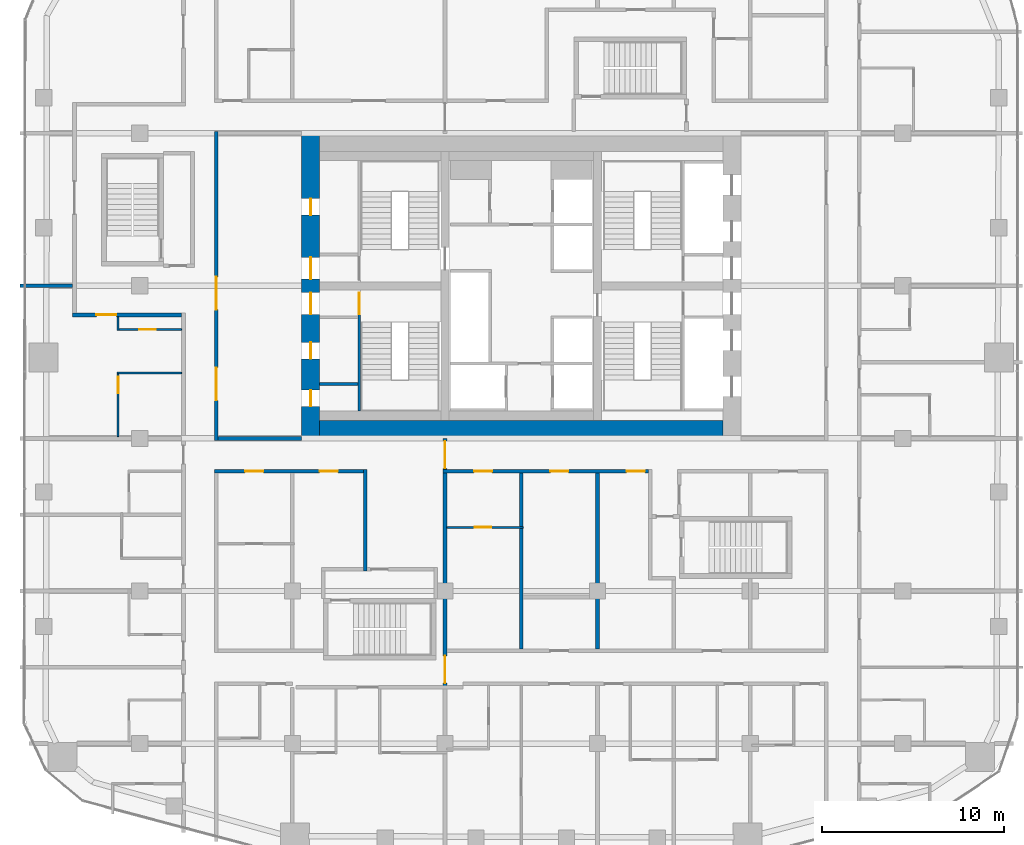
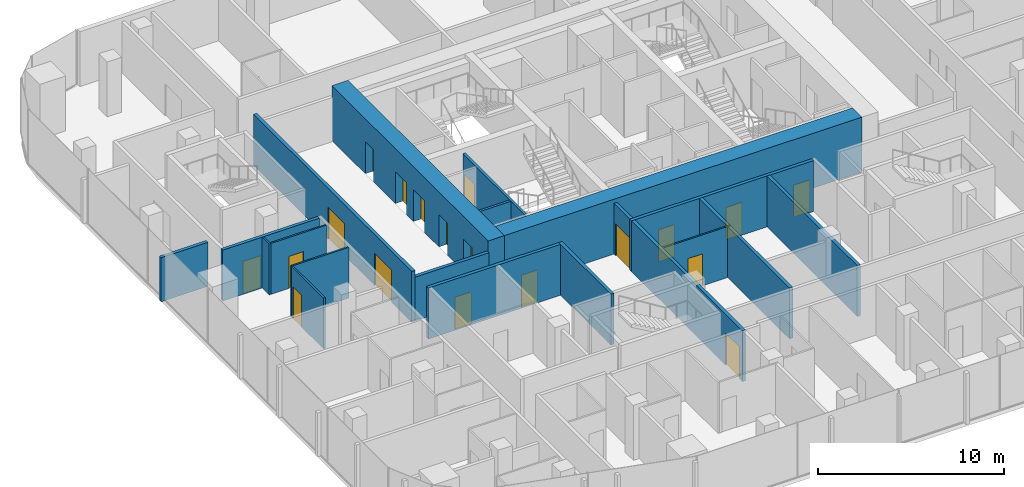
# One storey, part 15 of 23: 19 doors, 19 walls, 19 openings.
"""IFC4 building model written with IfcOpenShell, lengths in metres."""

from ifc_helpers import new_model, si_unit, direction, frame, frame_2d, origin, place, context, subcontext, project, spatial, rectangle, extrude, material, layer, layer_set, type_object, element, fill, save


model = new_model("IFC4")

# Units and contexts
model_context = context("Model", 3, precision=1e-05, world=origin(), true_north=direction((0.0, 1.0)))
body_context = subcontext(model_context, "Body", "Model", "MODEL_VIEW")
ifc_project = project(units=[si_unit("LENGTHUNIT", "METRE"), si_unit("AREAUNIT", "SQUARE_METRE"), si_unit("VOLUMEUNIT", "CUBIC_METRE"), si_unit("PLANEANGLEUNIT", "RADIAN"), si_unit("MASSUNIT", "GRAM", prefix="KILO")], contexts=[model_context])

# Site, building, storey
site_placement = place(None, origin())
site = spatial("IfcSite", under=ifc_project, at=site_placement, CompositionType="ELEMENT")
building_placement = place(site_placement, origin())
building = spatial("IfcBuilding", under=site, at=building_placement, Name="Marenta Gate Hotel Tower", CompositionType="ELEMENT")
storey_placement = place(building_placement, frame((0.0, 0.0, 155.300048828125)))
storey = spatial("IfcBuildingStorey", under=building, at=storey_placement, Name="L36", CompositionType="ELEMENT", Elevation=155.300048828125)

# Wall, openings, doors
ifc_material_1 = material(Name="Concrete blockwork", Category="masonry")
ifc_layer_1 = layer(ifc_material_1, 0.199951171875)
ifc_layer_set_1 = layer_set([ifc_layer_1], Name="Concrete blockwork")
wall_type_1 = type_object("IfcWallType", Name="Compartment wall 200 REI 180", PredefinedType="PARTITIONING", material=ifc_layer_set_1)
wall_1_placement = place(storey_placement, frame((-4.199951171875, -13.800048828125, 0.0), z_axis=(0.0, 0.0, 1.0), x_axis=(0.0, 1.0, 0.0)))
wall_1 = element("IfcWall", 1, at=wall_1_placement, inside=storey, type_object=wall_type_1, Name="L36-PTN-W075", PredefinedType="PARTITIONING", context=body_context, shape_type="SweptSolid", body=[
    extrude(rectangle(XDim=13.800048828125, YDim=0.199951171875, at=frame_2d((6.89990234375, 0.0))), origin(), (0.0, 0.0, 1.0), 3.33984375),
])
opening_1_placement = place(wall_1_placement, frame((12.14990234375, 0.0, 0.0)))
opening_1 = element("IfcOpeningElement", 2, at=opening_1_placement, cuts=wall_1, Name="Opening G13-FD2", PredefinedType="OPENING", context=body_context, shape_type="SweptSolid", body=[
    extrude(rectangle(XDim=1.5, YDim=2.10009765625, at=frame_2d((0.75, 1.050048828125))), frame((0.0, 0.10009765625, 0.0), z_axis=(0.0, -1.0, 0.0), x_axis=(1.0, 0.0, 0.0)), (0.0, 0.0, 1.0), 0.199951171875),
])
opening_2_placement = place(wall_1_placement, frame((0.324951171875, 0.0, 0.0)))
opening_2 = element("IfcOpeningElement", 3, at=opening_2_placement, cuts=wall_1, Name="Opening G13-FD3", PredefinedType="OPENING", context=body_context, shape_type="SweptSolid", body=[
    extrude(rectangle(XDim=1.5, YDim=2.10009765625, at=frame_2d((0.75, 1.050048828125))), frame((0.0, 0.10009765625, 0.0), z_axis=(0.0, -1.0, 0.0), x_axis=(1.0, 0.0, 0.0)), (0.0, 0.0, 1.0), 0.199951171875),
])
ifc_material_2 = material(Name="Hollow steel door set", Category="steel")
door_type_1 = type_object("IfcDoorType", Name="Compartment fire door 1500x2100 EI 60", OperationType="DOUBLE_DOOR_DOUBLE_SWING", PredefinedType="DOOR", material=ifc_material_2)
door_1_placement = place(opening_1_placement, origin())
door_1 = element("IfcDoor", 4, at=door_1_placement, inside=storey, type_object=door_type_1, Name="L36-PD-FD02", OperationType="DOUBLE_DOOR_DOUBLE_SWING", OverallHeight=2.10009765625, OverallWidth=1.5, PredefinedType="DOOR", context=body_context, shape_type="SweptSolid", body=[
    extrude(rectangle(XDim=1.5, YDim=2.10009765625, at=frame_2d((0.75, 1.050048828125))), frame((0.0, 0.02490234375, 0.0), z_axis=(0.0, -1.0, 0.0), x_axis=(1.0, 0.0, 0.0)), (0.0, 0.0, 1.0), 0.050048828125),
])
fill(opening_1, door_1)
door_2_placement = place(opening_2_placement, origin())
door_2 = element("IfcDoor", 5, at=door_2_placement, inside=storey, type_object=door_type_1, Name="L36-PD-FD03", OperationType="DOUBLE_DOOR_DOUBLE_SWING", OverallHeight=2.10009765625, OverallWidth=1.5, PredefinedType="DOOR", context=body_context, shape_type="SweptSolid", body=[
    extrude(rectangle(XDim=1.5, YDim=2.10009765625, at=frame_2d((0.75, 1.050048828125))), frame((0.0, 0.02490234375, 0.0), z_axis=(0.0, -1.0, 0.0), x_axis=(1.0, 0.0, 0.0)), (0.0, 0.0, 1.0), 0.050048828125),
])
fill(opening_2, door_2)

ifc_material_3 = material(Name="Concrete blockwork", Category="masonry")
ifc_layer_2 = layer(ifc_material_3, 0.199951171875)
ifc_layer_set_2 = layer_set([ifc_layer_2], Name="Concrete blockwork")
wall_type_2 = type_object("IfcWallType", Name="Core boundary wall 200 REI 180", PredefinedType="PARTITIONING", material=ifc_layer_set_2)
wall_2_placement = place(storey_placement, frame((-16.800048828125, -0.10009765625, 0.0), z_axis=(0.0, 0.0, 1.0), x_axis=(0.0, 1.0, 0.0)))
wall_2 = element("IfcWall", 6, at=wall_2_placement, inside=storey, type_object=wall_type_2, Name="L36-CP-BW-W", PredefinedType="PARTITIONING", context=body_context, shape_type="SweptSolid", body=[
    extrude(rectangle(XDim=17.0, YDim=0.199951171875, at=frame_2d((8.5, 0.0))), origin(), (0.0, 0.0, 1.0), 3.33984375),
])
opening_3_placement = place(wall_2_placement, frame((2.199951171875, 0.0, 0.0)))
opening_3 = element("IfcOpeningElement", 7, at=opening_3_placement, cuts=wall_2, Name="Opening ED-Wa-B", PredefinedType="OPENING", context=body_context, shape_type="SweptSolid", body=[
    extrude(rectangle(XDim=1.800048828125, YDim=2.10009765625, at=frame_2d((0.89990234375, 1.050048828125))), frame((0.0, 0.10009765625, 0.0), z_axis=(0.0, -1.0, 0.0), x_axis=(1.0, 0.0, 0.0)), (0.0, 0.0, 1.0), 0.199951171875),
])
opening_4_placement = place(wall_2_placement, frame((7.199951171875, 0.0, 0.0)))
opening_4 = element("IfcOpeningElement", 8, at=opening_4_placement, cuts=wall_2, Name="Opening ED-Wb-B", PredefinedType="OPENING", context=body_context, shape_type="SweptSolid", body=[
    extrude(rectangle(XDim=1.800048828125, YDim=2.10009765625, at=frame_2d((0.89990234375, 1.050048828125))), frame((0.0, 0.10009765625, 0.0), z_axis=(0.0, -1.0, 0.0), x_axis=(1.0, 0.0, 0.0)), (0.0, 0.0, 1.0), 0.199951171875),
])
ifc_material_4 = material(Name="Steel", Category="steel")
door_type_2 = type_object("IfcDoorType", Name="Core lobby entrance door 1800x2100 EI 60", OperationType="DOUBLE_DOOR_SINGLE_SWING", PredefinedType="DOOR", material=ifc_material_4)
door_3_placement = place(opening_3_placement, origin())
door_3 = element("IfcDoor", 9, at=door_3_placement, inside=storey, type_object=door_type_2, Name="ED-Wa-B", OperationType="DOUBLE_DOOR_SINGLE_SWING", OverallHeight=2.10009765625, OverallWidth=1.800048828125, PredefinedType="DOOR", context=body_context, shape_type="SweptSolid", body=[
    extrude(rectangle(XDim=1.800048828125, YDim=2.10009765625, at=frame_2d((0.89990234375, 1.050048828125))), frame((0.0, 0.02490234375, 0.0), z_axis=(0.0, -1.0, 0.0), x_axis=(1.0, 0.0, 0.0)), (0.0, 0.0, 1.0), 0.050048828125),
])
fill(opening_3, door_3)
door_4_placement = place(opening_4_placement, origin())
door_4 = element("IfcDoor", 10, at=door_4_placement, inside=storey, type_object=door_type_2, Name="ED-Wb-B", OperationType="DOUBLE_DOOR_SINGLE_SWING", OverallHeight=2.10009765625, OverallWidth=1.800048828125, PredefinedType="DOOR", context=body_context, shape_type="SweptSolid", body=[
    extrude(rectangle(XDim=1.800048828125, YDim=2.10009765625, at=frame_2d((0.89990234375, 1.050048828125))), frame((0.0, 0.02490234375, 0.0), z_axis=(0.0, -1.0, 0.0), x_axis=(1.0, 0.0, 0.0)), (0.0, 0.0, 1.0), 0.050048828125),
])
fill(opening_4, door_4)

# Walls
wall_3_placement = place(storey_placement, frame((-16.699951171875, 0.0, 0.0), z_axis=(0.0, 0.0, 1.0), x_axis=(1.0, 0.0, 0.0)))
element("IfcWall", 11, at=wall_3_placement, inside=storey, type_object=wall_type_2, Name="L36-CP-EW-WS", PredefinedType="PARTITIONING", context=body_context, shape_type="SweptSolid", body=[
    extrude(rectangle(XDim=4.599853515625, YDim=0.199951171875, at=frame_2d((2.2998046875, 0.0))), origin(), (0.0, 0.0, 1.0), 2.889892578125),
])
ifc_material_5 = material(Name="Concrete blockwork", Category="masonry")
ifc_layer_3 = layer(ifc_material_5, 0.14990234375)
ifc_layer_set_3 = layer_set([ifc_layer_3], Name="Concrete blockwork")
wall_type_3 = type_object("IfcWallType", Name="Core room partition 150 REI 180", PredefinedType="PARTITIONING", material=ifc_layer_set_3)
wall_4_placement = place(storey_placement, frame((-11.10009765625, 3.0, 0.0), z_axis=(0.0, 0.0, 1.0), x_axis=(1.0, 0.0, 0.0)))
element("IfcWall", 12, at=wall_4_placement, inside=storey, type_object=wall_type_3, Name="L36-CP-RW-WS-1", PredefinedType="PARTITIONING", context=body_context, shape_type="SweptSolid", body=[
    extrude(rectangle(XDim=2.10009765625, YDim=0.14990234375, at=frame_2d((1.050048828125, 0.0))), origin(), (0.0, 0.0, 1.0), 3.33984375),
])

# Wall, opening, door
ifc_material_6 = material(Name="Concrete C40", Category="concrete")
ifc_layer_4 = layer(ifc_material_6, 0.14990234375)
ifc_layer_set_4 = layer_set([ifc_layer_4], Name="Concrete C40")
wall_type_4 = type_object("IfcWallType", Name="Core stair enclosure wall 150 REI 180", PredefinedType="SHEAR", material=ifc_layer_set_4)
wall_5_placement = place(storey_placement, frame((-8.925048828125, 1.5, 0.0), z_axis=(0.0, 0.0, 1.0), x_axis=(0.0, 1.0, 0.0)))
wall_5 = element("IfcWall", 13, at=wall_5_placement, inside=storey, type_object=wall_type_4, Name="L36-SHF-SW-WS-3", PredefinedType="SHEAR", context=body_context, shape_type="SweptSolid", body=[
    extrude(rectangle(XDim=6.60009765625, YDim=0.14990234375, at=frame_2d((3.300048828125, 0.0))), origin(), (0.0, 0.0, 1.0), 3.33984375),
])
opening_5_placement = place(wall_5_placement, frame((5.324951171875, 0.0, 0.0)))
opening_5 = element("IfcOpeningElement", 14, at=opening_5_placement, cuts=wall_5, Name="Opening SD-WS", PredefinedType="OPENING", context=body_context, shape_type="SweptSolid", body=[
    extrude(rectangle(XDim=1.199951171875, YDim=2.10009765625, at=frame_2d((0.60009765625, 1.050048828125))), frame((0.0, 0.074951171875, 0.0), z_axis=(0.0, -1.0, 0.0), x_axis=(1.0, 0.0, 0.0)), (0.0, 0.0, 1.0), 0.14990234375),
])
ifc_material_7 = material(Name="Steel", Category="steel")
door_type_3 = type_object("IfcDoorType", Name="Core stair door 1200x2100 FD60", OperationType="SINGLE_SWING_LEFT", PredefinedType="DOOR", material=ifc_material_7)
door_5_placement = place(opening_5_placement, origin())
door_5 = element("IfcDoor", 15, at=door_5_placement, inside=storey, type_object=door_type_3, Name="SD-WS", OperationType="SINGLE_SWING_LEFT", OverallHeight=2.10009765625, OverallWidth=1.199951171875, PredefinedType="DOOR", context=body_context, shape_type="SweptSolid", body=[
    extrude(rectangle(XDim=1.199951171875, YDim=2.10009765625, at=frame_2d((0.60009765625, 1.050048828125))), frame((0.0, 0.02490234375, 0.0), z_axis=(0.0, -1.0, 0.0), x_axis=(1.0, 0.0, 0.0)), (0.0, 0.0, 1.0), 0.050048828125),
])
fill(opening_5, door_5)

# Wall, openings, doors
ifc_material_8 = material(Name="Concrete C70", Category="concrete")
ifc_layer_5 = layer(ifc_material_8, 1.0)
ifc_layer_set_5 = layer_set([ifc_layer_5], Name="Concrete C70")
wall_type_5 = type_object("IfcWallType", Name="Core wall 1000 C70", PredefinedType="SHEAR", material=ifc_layer_set_5)
wall_6_placement = place(storey_placement, frame((-11.60009765625, 0.0, 0.0), z_axis=(0.0, 0.0, 1.0), x_axis=(0.0, 1.0, 0.0)))
wall_6 = element("IfcWall", 16, at=wall_6_placement, inside=storey, type_object=wall_type_5, Name="L36-CORE-W", PredefinedType="SHEAR", context=body_context, shape_type="SweptSolid", body=[
    extrude(rectangle(XDim=16.800048828125, YDim=1.0, at=frame_2d((8.39990234375, 0.0))), origin(), (0.0, 0.0, 1.0), 3.599853515625),
])
opening_6_placement = place(wall_6_placement, frame((1.762451171875, 0.0, 0.0)))
opening_6 = element("IfcOpeningElement", 17, at=opening_6_placement, cuts=wall_6, Name="Opening RD-WS-1", PredefinedType="OPENING", context=body_context, shape_type="SweptSolid", body=[
    extrude(rectangle(XDim=0.89990234375, YDim=2.10009765625, at=frame_2d((0.449951171875, 1.050048828125))), frame((0.0, 0.5, 0.0), z_axis=(0.0, -1.0, 0.0), x_axis=(1.0, 0.0, 0.0)), (0.0, 0.0, 1.0), 1.0),
])
opening_7_placement = place(wall_6_placement, frame((4.387451171875, 0.0, 0.0)))
opening_7 = element("IfcOpeningElement", 18, at=opening_7_placement, cuts=wall_6, Name="Opening RD-WS-2", PredefinedType="OPENING", context=body_context, shape_type="SweptSolid", body=[
    extrude(rectangle(XDim=0.89990234375, YDim=2.10009765625, at=frame_2d((0.449951171875, 1.050048828125))), frame((0.0, 0.5, 0.0), z_axis=(0.0, -1.0, 0.0), x_axis=(1.0, 0.0, 0.0)), (0.0, 0.0, 1.0), 1.0),
])
opening_8_placement = place(wall_6_placement, frame((6.824951171875, 0.0, 0.0)))
opening_8 = element("IfcOpeningElement", 19, at=opening_8_placement, cuts=wall_6, Name="Opening PD-WS", PredefinedType="OPENING", context=body_context, shape_type="SweptSolid", body=[
    extrude(rectangle(XDim=1.199951171875, YDim=2.10009765625, at=frame_2d((0.60009765625, 1.050048828125))), frame((0.0, 0.5, 0.0), z_axis=(0.0, -1.0, 0.0), x_axis=(1.0, 0.0, 0.0)), (0.0, 0.0, 1.0), 1.0),
])
opening_9_placement = place(wall_6_placement, frame((12.300048828125, 0.0, 0.0)))
opening_9 = element("IfcOpeningElement", 20, at=opening_9_placement, cuts=wall_6, Name="Opening RD-WN-1", PredefinedType="OPENING", context=body_context, shape_type="SweptSolid", body=[
    extrude(rectangle(XDim=0.89990234375, YDim=2.10009765625, at=frame_2d((0.449951171875, 1.050048828125))), frame((0.0, 0.5, 0.0), z_axis=(0.0, -1.0, 0.0), x_axis=(1.0, 0.0, 0.0)), (0.0, 0.0, 1.0), 1.0),
])
opening_10_placement = place(wall_6_placement, frame((8.77490234375, 0.0, 0.0)))
opening_10 = element("IfcOpeningElement", 21, at=opening_10_placement, cuts=wall_6, Name="Opening PD-WN", PredefinedType="OPENING", context=body_context, shape_type="SweptSolid", body=[
    extrude(rectangle(XDim=1.199951171875, YDim=2.10009765625, at=frame_2d((0.60009765625, 1.050048828125))), frame((0.0, 0.5, 0.0), z_axis=(0.0, -1.0, 0.0), x_axis=(1.0, 0.0, 0.0)), (0.0, 0.0, 1.0), 1.0),
])
ifc_material_9 = material(Name="Steel", Category="steel")
door_type_4 = type_object("IfcDoorType", Name="Core lobby door 1200x2100 FD60", OperationType="SINGLE_SWING_LEFT", PredefinedType="DOOR", material=ifc_material_9)
door_6_placement = place(opening_8_placement, origin())
door_6 = element("IfcDoor", 22, at=door_6_placement, inside=storey, type_object=door_type_4, Name="PD-WS", OperationType="SINGLE_SWING_LEFT", OverallHeight=2.10009765625, OverallWidth=1.199951171875, PredefinedType="DOOR", context=body_context, shape_type="SweptSolid", body=[
    extrude(rectangle(XDim=1.199951171875, YDim=2.10009765625, at=frame_2d((0.60009765625, 1.050048828125))), frame((0.0, 0.02490234375, 0.0), z_axis=(0.0, -1.0, 0.0), x_axis=(1.0, 0.0, 0.0)), (0.0, 0.0, 1.0), 0.050048828125),
])
fill(opening_8, door_6)
door_7_placement = place(opening_10_placement, origin())
door_7 = element("IfcDoor", 23, at=door_7_placement, inside=storey, type_object=door_type_4, Name="PD-WN", OperationType="SINGLE_SWING_LEFT", OverallHeight=2.10009765625, OverallWidth=1.199951171875, PredefinedType="DOOR", context=body_context, shape_type="SweptSolid", body=[
    extrude(rectangle(XDim=1.199951171875, YDim=2.10009765625, at=frame_2d((0.60009765625, 1.050048828125))), frame((0.0, 0.02490234375, 0.0), z_axis=(0.0, -1.0, 0.0), x_axis=(1.0, 0.0, 0.0)), (0.0, 0.0, 1.0), 0.050048828125),
])
fill(opening_10, door_7)
ifc_material_10 = material(Name="Steel", Category="steel")
door_type_5 = type_object("IfcDoorType", Name="Core service room door 900x2100 FD30S", OperationType="SINGLE_SWING_LEFT", PredefinedType="DOOR", material=ifc_material_10)
door_8_placement = place(opening_6_placement, origin())
door_8 = element("IfcDoor", 24, at=door_8_placement, inside=storey, type_object=door_type_5, Name="RD-WS-1", OperationType="SINGLE_SWING_LEFT", OverallHeight=2.10009765625, OverallWidth=0.89990234375, PredefinedType="DOOR", context=body_context, shape_type="SweptSolid", body=[
    extrude(rectangle(XDim=0.89990234375, YDim=2.10009765625, at=frame_2d((0.449951171875, 1.050048828125))), frame((0.0, 0.02490234375, 0.0), z_axis=(0.0, -1.0, 0.0), x_axis=(1.0, 0.0, 0.0)), (0.0, 0.0, 1.0), 0.050048828125),
])
fill(opening_6, door_8)
door_9_placement = place(opening_7_placement, origin())
door_9 = element("IfcDoor", 25, at=door_9_placement, inside=storey, type_object=door_type_5, Name="RD-WS-2", OperationType="SINGLE_SWING_LEFT", OverallHeight=2.10009765625, OverallWidth=0.89990234375, PredefinedType="DOOR", context=body_context, shape_type="SweptSolid", body=[
    extrude(rectangle(XDim=0.89990234375, YDim=2.10009765625, at=frame_2d((0.449951171875, 1.050048828125))), frame((0.0, 0.02490234375, 0.0), z_axis=(0.0, -1.0, 0.0), x_axis=(1.0, 0.0, 0.0)), (0.0, 0.0, 1.0), 0.050048828125),
])
fill(opening_7, door_9)
door_10_placement = place(opening_9_placement, origin())
door_10 = element("IfcDoor", 26, at=door_10_placement, inside=storey, type_object=door_type_5, Name="RD-WN-1", OperationType="SINGLE_SWING_LEFT", OverallHeight=2.10009765625, OverallWidth=0.89990234375, PredefinedType="DOOR", context=body_context, shape_type="SweptSolid", body=[
    extrude(rectangle(XDim=0.89990234375, YDim=2.10009765625, at=frame_2d((0.449951171875, 1.050048828125))), frame((0.0, 0.02490234375, 0.0), z_axis=(0.0, -1.0, 0.0), x_axis=(1.0, 0.0, 0.0)), (0.0, 0.0, 1.0), 0.050048828125),
])
fill(opening_9, door_10)

# Wall
wall_7_placement = place(storey_placement, frame((-11.10009765625, 0.5, 0.0), z_axis=(0.0, 0.0, 1.0), x_axis=(1.0, 0.0, 0.0)))
element("IfcWall", 27, at=wall_7_placement, inside=storey, type_object=wall_type_5, Name="L36-CORE-S", PredefinedType="SHEAR", context=body_context, shape_type="SweptSolid", body=[
    extrude(rectangle(XDim=22.2001953125, YDim=1.0, at=frame_2d((11.10009765625, 0.0))), origin(), (0.0, 0.0, 1.0), 3.599853515625),
])

# Wall, openings, doors
ifc_material_11 = material(Name="Concrete blockwork", Category="masonry")
ifc_layer_6 = layer(ifc_material_11, 0.199951171875)
ifc_layer_set_6 = layer_set([ifc_layer_6], Name="Concrete blockwork")
wall_type_6 = type_object("IfcWallType", Name="Room corridor wall 200 EI 120", PredefinedType="PARTITIONING", material=ifc_layer_set_6)
wall_8_placement = place(storey_placement, frame((-4.300048828125, -1.800048828125, 0.0), z_axis=(0.0, 0.0, 1.0), x_axis=(1.0, 0.0, 0.0)))
wall_8 = element("IfcWall", 28, at=wall_8_placement, inside=storey, type_object=wall_type_6, Name="L36-PTN-W063", PredefinedType="PARTITIONING", context=body_context, shape_type="SweptSolid", body=[
    extrude(rectangle(XDim=11.300048828125, YDim=0.199951171875, at=frame_2d((5.64990234375, 0.0))), origin(), (0.0, 0.0, 1.0), 3.33984375),
])
opening_11_placement = place(wall_8_placement, frame((1.699951171875, 0.0, 0.0)))
opening_11 = element("IfcOpeningElement", 29, at=opening_11_placement, cuts=wall_8, Name="Opening G13-04", PredefinedType="OPENING", context=body_context, shape_type="SweptSolid", body=[
    extrude(rectangle(XDim=1.0, YDim=2.10009765625, at=frame_2d((0.5, 1.050048828125))), frame((0.0, 0.10009765625, 0.0), z_axis=(0.0, -1.0, 0.0), x_axis=(1.0, 0.0, 0.0)), (0.0, 0.0, 1.0), 0.199951171875),
])
opening_12_placement = place(wall_8_placement, frame((10.10009765625, 0.0, 0.0)))
opening_12 = element("IfcOpeningElement", 30, at=opening_12_placement, cuts=wall_8, Name="Opening G13-06", PredefinedType="OPENING", context=body_context, shape_type="SweptSolid", body=[
    extrude(rectangle(XDim=1.0, YDim=2.10009765625, at=frame_2d((0.5, 1.050048828125))), frame((0.0, 0.10009765625, 0.0), z_axis=(0.0, -1.0, 0.0), x_axis=(1.0, 0.0, 0.0)), (0.0, 0.0, 1.0), 0.199951171875),
])
opening_13_placement = place(wall_8_placement, frame((5.89990234375, 0.0, 0.0)))
opening_13 = element("IfcOpeningElement", 31, at=opening_13_placement, cuts=wall_8, Name="Opening G13-68", PredefinedType="OPENING", context=body_context, shape_type="SweptSolid", body=[
    extrude(rectangle(XDim=1.0, YDim=2.10009765625, at=frame_2d((0.5, 1.050048828125))), frame((0.0, 0.10009765625, 0.0), z_axis=(0.0, -1.0, 0.0), x_axis=(1.0, 0.0, 0.0)), (0.0, 0.0, 1.0), 0.199951171875),
])
ifc_material_12 = material(Name="Timber door leaf", Category="wood")
door_type_6 = type_object("IfcDoorType", Name="Room amenity door 1000x2100 EI 60", OperationType="NOTDEFINED", PredefinedType="DOOR", material=ifc_material_12)
door_11_placement = place(opening_12_placement, origin())
door_11 = element("IfcDoor", 32, at=door_11_placement, inside=storey, type_object=door_type_6, Name="L36-PD-D006", OperationType="SINGLE_SWING_LEFT", OverallHeight=2.10009765625, OverallWidth=1.0, PredefinedType="DOOR", context=body_context, shape_type="SweptSolid", body=[
    extrude(rectangle(XDim=1.0, YDim=2.10009765625, at=frame_2d((0.5, 1.050048828125))), frame((0.0, 0.02490234375, 0.0), z_axis=(0.0, -1.0, 0.0), x_axis=(1.0, 0.0, 0.0)), (0.0, 0.0, 1.0), 0.050048828125),
])
fill(opening_12, door_11)
door_12_placement = place(opening_13_placement, origin())
door_12 = element("IfcDoor", 33, at=door_12_placement, inside=storey, type_object=door_type_6, Name="L36-PD-D068", OperationType="SINGLE_SWING_RIGHT", OverallHeight=2.10009765625, OverallWidth=1.0, PredefinedType="DOOR", context=body_context, shape_type="SweptSolid", body=[
    extrude(rectangle(XDim=1.0, YDim=2.10009765625, at=frame_2d((0.5, 1.050048828125))), frame((0.0, 0.02490234375, 0.0), z_axis=(0.0, -1.0, 0.0), x_axis=(1.0, 0.0, 0.0)), (0.0, 0.0, 1.0), 0.050048828125),
])
fill(opening_13, door_12)
ifc_material_13 = material(Name="Hollow steel door set", Category="steel")
door_type_7 = type_object("IfcDoorType", Name="Room service door 1000x2100 EI 60", OperationType="NOTDEFINED", PredefinedType="DOOR", material=ifc_material_13)
door_13_placement = place(opening_11_placement, origin())
door_13 = element("IfcDoor", 34, at=door_13_placement, inside=storey, type_object=door_type_7, Name="L36-PD-D004", OperationType="SINGLE_SWING_RIGHT", OverallHeight=2.10009765625, OverallWidth=1.0, PredefinedType="DOOR", context=body_context, shape_type="SweptSolid", body=[
    extrude(rectangle(XDim=1.0, YDim=2.10009765625, at=frame_2d((0.5, 1.050048828125))), frame((0.0, 0.02490234375, 0.0), z_axis=(0.0, -1.0, 0.0), x_axis=(1.0, 0.0, 0.0)), (0.0, 0.0, 1.0), 0.050048828125),
])
fill(opening_11, door_13)

ifc_material_14 = material(Name="Gypsum board on steel stud", Category="steel")
ifc_layer_7 = layer(ifc_material_14, 0.199951171875)
ifc_layer_set_7 = layer_set([ifc_layer_7], Name="Gypsum board on steel stud")
wall_type_7 = type_object("IfcWallType", Name="Room corridor wall 200 EI 60", PredefinedType="PARTITIONING", material=ifc_layer_set_7)
wall_9_placement = place(storey_placement, frame((-16.89990234375, -1.800048828125, 0.0), z_axis=(0.0, 0.0, 1.0), x_axis=(1.0, 0.0, 0.0)))
wall_9 = element("IfcWall", 35, at=wall_9_placement, inside=storey, type_object=wall_type_7, Name="L36-PTN-W062", PredefinedType="PARTITIONING", context=body_context, shape_type="SweptSolid", body=[
    extrude(rectangle(XDim=8.199951171875, YDim=0.199951171875, at=frame_2d((4.10009765625, 0.0))), origin(), (0.0, 0.0, 1.0), 3.33984375),
])
opening_14_placement = place(wall_9_placement, frame((1.699951171875, 0.0, 0.0)))
opening_14 = element("IfcOpeningElement", 36, at=opening_14_placement, cuts=wall_9, Name="Opening G13-01", PredefinedType="OPENING", context=body_context, shape_type="SweptSolid", body=[
    extrude(rectangle(XDim=1.0, YDim=2.10009765625, at=frame_2d((0.5, 1.050048828125))), frame((0.0, 0.10009765625, 0.0), z_axis=(0.0, -1.0, 0.0), x_axis=(1.0, 0.0, 0.0)), (0.0, 0.0, 1.0), 0.199951171875),
])
opening_15_placement = place(wall_9_placement, frame((5.800048828125, 0.0, 0.0)))
opening_15 = element("IfcOpeningElement", 37, at=opening_15_placement, cuts=wall_9, Name="Opening G13-03", PredefinedType="OPENING", context=body_context, shape_type="SweptSolid", body=[
    extrude(rectangle(XDim=1.0, YDim=2.10009765625, at=frame_2d((0.5, 1.050048828125))), frame((0.0, 0.10009765625, 0.0), z_axis=(0.0, -1.0, 0.0), x_axis=(1.0, 0.0, 0.0)), (0.0, 0.0, 1.0), 0.199951171875),
])
ifc_material_15 = material(Name="Timber door leaf", Category="wood")
door_type_8 = type_object("IfcDoorType", Name="Room amenity door 1000x2100 EI 30", OperationType="NOTDEFINED", PredefinedType="DOOR", material=ifc_material_15)
door_14_placement = place(opening_15_placement, origin())
door_14 = element("IfcDoor", 38, at=door_14_placement, inside=storey, type_object=door_type_8, Name="L36-PD-D003", OperationType="SINGLE_SWING_LEFT", OverallHeight=2.10009765625, OverallWidth=1.0, PredefinedType="DOOR", context=body_context, shape_type="SweptSolid", body=[
    extrude(rectangle(XDim=1.0, YDim=2.10009765625, at=frame_2d((0.5, 1.050048828125))), frame((0.0, 0.02490234375, 0.0), z_axis=(0.0, -1.0, 0.0), x_axis=(1.0, 0.0, 0.0)), (0.0, 0.0, 1.0), 0.050048828125),
])
fill(opening_15, door_14)
ifc_material_16 = material(Name="Hollow steel door set", Category="steel")
door_type_9 = type_object("IfcDoorType", Name="Room service door 1000x2100 EI 30", OperationType="NOTDEFINED", PredefinedType="DOOR", material=ifc_material_16)
door_15_placement = place(opening_14_placement, origin())
door_15 = element("IfcDoor", 39, at=door_15_placement, inside=storey, type_object=door_type_9, Name="L36-PD-D001", OperationType="SINGLE_SWING_LEFT", OverallHeight=2.10009765625, OverallWidth=1.0, PredefinedType="DOOR", context=body_context, shape_type="SweptSolid", body=[
    extrude(rectangle(XDim=1.0, YDim=2.10009765625, at=frame_2d((0.5, 1.050048828125))), frame((0.0, 0.02490234375, 0.0), z_axis=(0.0, -1.0, 0.0), x_axis=(1.0, 0.0, 0.0)), (0.0, 0.0, 1.0), 0.050048828125),
])
fill(opening_14, door_15)

# Wall, opening, door
wall_10_placement = place(storey_placement, frame((-24.699951171875, 6.800048828125, 0.0), z_axis=(0.0, 0.0, 1.0), x_axis=(1.0, 0.0, 0.0)))
wall_10 = element("IfcWall", 40, at=wall_10_placement, inside=storey, type_object=wall_type_7, Name="L36-PTN-W080", PredefinedType="PARTITIONING", context=body_context, shape_type="SweptSolid", body=[
    extrude(rectangle(XDim=6.0, YDim=0.199951171875, at=frame_2d((3.0, 0.0))), origin(), (0.0, 0.0, 1.0), 3.33984375),
])
opening_16_placement = place(wall_10_placement, frame((1.300048828125, 0.0, 0.0)))
opening_16 = element("IfcOpeningElement", 41, at=opening_16_placement, cuts=wall_10, Name="Opening G13-53", PredefinedType="OPENING", context=body_context, shape_type="SweptSolid", body=[
    extrude(rectangle(XDim=1.10009765625, YDim=2.10009765625, at=frame_2d((0.550048828125, 1.050048828125))), frame((0.0, 0.10009765625, 0.0), z_axis=(0.0, -1.0, 0.0), x_axis=(1.0, 0.0, 0.0)), (0.0, 0.0, 1.0), 0.199951171875),
])
ifc_material_17 = material(Name="Timber door leaf", Category="wood")
door_type_10 = type_object("IfcDoorType", Name="Guest room door 1100x2100 EI 30", OperationType="NOTDEFINED", PredefinedType="DOOR", material=ifc_material_17)
door_16_placement = place(opening_16_placement, origin())
door_16 = element("IfcDoor", 42, at=door_16_placement, inside=storey, type_object=door_type_10, Name="L36-PD-D053", OperationType="SINGLE_SWING_LEFT", OverallHeight=2.10009765625, OverallWidth=1.10009765625, PredefinedType="DOOR", context=body_context, shape_type="SweptSolid", body=[
    extrude(rectangle(XDim=1.10009765625, YDim=2.10009765625, at=frame_2d((0.550048828125, 1.050048828125))), frame((0.0, 0.02490234375, 0.0), z_axis=(0.0, -1.0, 0.0), x_axis=(1.0, 0.0, 0.0)), (0.0, 0.0, 1.0), 0.050048828125),
])
fill(opening_16, door_16)

# Wall
wall_11_placement = place(storey_placement, frame((-8.60009765625, -7.300048828125, 0.0), z_axis=(0.0, 0.0, 1.0), x_axis=(0.0, 1.0, 0.0)))
element("IfcWall", 43, at=wall_11_placement, inside=storey, type_object=wall_type_7, Name="L36-PTN-W084", PredefinedType="PARTITIONING", context=body_context, shape_type="SweptSolid", body=[
    extrude(rectangle(XDim=5.60009765625, YDim=0.199951171875, at=frame_2d((2.800048828125, 0.0))), origin(), (0.0, 0.0, 1.0), 3.33984375),
])

# Wall, opening, door
ifc_material_18 = material(Name="Gypsum board on steel stud", Category="steel")
ifc_layer_8 = layer(ifc_material_18, 0.10009765625)
ifc_layer_set_8 = layer_set([ifc_layer_8], Name="Gypsum board on steel stud")
wall_type_8 = type_object("IfcWallType", Name="Room partition 100", PredefinedType="PARTITIONING", material=ifc_layer_set_8)
wall_12_placement = place(storey_placement, frame((-4.10009765625, -4.89990234375, 0.0), z_axis=(0.0, 0.0, 1.0), x_axis=(1.0, 0.0, 0.0)))
wall_12 = element("IfcWall", 44, at=wall_12_placement, inside=storey, type_object=wall_type_8, Name="L36-PTN-W054", PredefinedType="PARTITIONING", context=body_context, shape_type="SweptSolid", body=[
    extrude(rectangle(XDim=4.2001953125, YDim=0.10009765625, at=frame_2d((2.10009765625, 0.0))), origin(), (0.0, 0.0, 1.0), 3.33984375),
])
opening_17_placement = place(wall_12_placement, frame((1.550048828125, 0.0, 0.0)))
opening_17 = element("IfcOpeningElement", 45, at=opening_17_placement, cuts=wall_12, Name="Opening G13-05", PredefinedType="OPENING", context=body_context, shape_type="SweptSolid", body=[
    extrude(rectangle(XDim=0.89990234375, YDim=2.10009765625, at=frame_2d((0.449951171875, 1.050048828125))), frame((0.0, 0.050048828125, 0.0), z_axis=(0.0, -1.0, 0.0), x_axis=(1.0, 0.0, 0.0)), (0.0, 0.0, 1.0), 0.10009765625),
])
ifc_material_19 = material(Name="Timber door leaf", Category="wood")
door_type_11 = type_object("IfcDoorType", Name="Room inner door 900x2100", OperationType="NOTDEFINED", PredefinedType="DOOR", material=ifc_material_19)
door_17_placement = place(opening_17_placement, origin())
door_17 = element("IfcDoor", 46, at=door_17_placement, inside=storey, type_object=door_type_11, Name="L36-PD-D005", OperationType="SINGLE_SWING_LEFT", OverallHeight=2.10009765625, OverallWidth=0.89990234375, PredefinedType="DOOR", context=body_context, shape_type="SweptSolid", body=[
    extrude(rectangle(XDim=0.89990234375, YDim=2.10009765625, at=frame_2d((0.449951171875, 1.050048828125))), frame((0.0, 0.02490234375, 0.0), z_axis=(0.0, -1.0, 0.0), x_axis=(1.0, 0.0, 0.0)), (0.0, 0.0, 1.0), 0.050048828125),
])
fill(opening_17, door_17)

# Wall
wall_13_placement = place(storey_placement, frame((-22.25, 3.60009765625, 0.0), z_axis=(0.0, 0.0, 1.0), x_axis=(1.0, 0.0, 0.0)))
element("IfcWall", 47, at=wall_13_placement, inside=storey, type_object=wall_type_8, Name="L36-PTN-W072", PredefinedType="PARTITIONING", context=body_context, shape_type="SweptSolid", body=[
    extrude(rectangle(XDim=3.550048828125, YDim=0.10009765625, at=frame_2d((1.77490234375, 0.0))), origin(), (0.0, 0.0, 1.0), 3.33984375),
])

# Wall, opening, door
wall_14_placement = place(storey_placement, frame((-22.14990234375, 6.0, 0.0), z_axis=(0.0, 0.0, 1.0), x_axis=(1.0, 0.0, 0.0)))
wall_14 = element("IfcWall", 48, at=wall_14_placement, inside=storey, type_object=wall_type_8, Name="L36-PTN-W078", PredefinedType="PARTITIONING", context=body_context, shape_type="SweptSolid", body=[
    extrude(rectangle(XDim=3.449951171875, YDim=0.10009765625, at=frame_2d((1.72509765625, 0.0))), origin(), (0.0, 0.0, 1.0), 3.33984375),
])
opening_18_placement = place(wall_14_placement, frame((1.1201171875, 0.0, 0.0)))
opening_18 = element("IfcOpeningElement", 49, at=opening_18_placement, cuts=wall_14, Name="Opening G13-55", PredefinedType="OPENING", context=body_context, shape_type="SweptSolid", body=[
    extrude(rectangle(XDim=0.89990234375, YDim=2.10009765625, at=frame_2d((0.449951171875, 1.050048828125))), frame((0.0, 0.050048828125, 0.0), z_axis=(0.0, -1.0, 0.0), x_axis=(1.0, 0.0, 0.0)), (0.0, 0.0, 1.0), 0.10009765625),
])
door_18_placement = place(opening_18_placement, origin())
door_18 = element("IfcDoor", 50, at=door_18_placement, inside=storey, type_object=door_type_11, Name="L36-PD-D055", OperationType="SINGLE_SWING_RIGHT", OverallHeight=2.10009765625, OverallWidth=0.89990234375, PredefinedType="DOOR", context=body_context, shape_type="SweptSolid", body=[
    extrude(rectangle(XDim=0.89990234375, YDim=2.10009765625, at=frame_2d((0.449951171875, 1.050048828125))), frame((0.0, 0.02490234375, 0.0), z_axis=(0.0, -1.0, 0.0), x_axis=(1.0, 0.0, 0.0)), (0.0, 0.0, 1.0), 0.050048828125),
])
fill(opening_18, door_18)

wall_15_placement = place(storey_placement, frame((-22.199951171875, 0.10009765625, 0.0), z_axis=(0.0, 0.0, 1.0), x_axis=(0.0, 1.0, 0.0)))
wall_15 = element("IfcWall", 51, at=wall_15_placement, inside=storey, type_object=wall_type_8, Name="L36-PTN-W112", PredefinedType="PARTITIONING", context=body_context, shape_type="SweptSolid", body=[
    extrude(rectangle(XDim=3.449951171875, YDim=0.10009765625, at=frame_2d((1.72509765625, 0.0))), origin(), (0.0, 0.0, 1.0), 3.33984375),
])
opening_19_placement = place(wall_15_placement, frame((2.39990234375, 0.0, 0.0)))
opening_19 = element("IfcOpeningElement", 52, at=opening_19_placement, cuts=wall_15, Name="Opening G13-54", PredefinedType="OPENING", context=body_context, shape_type="SweptSolid", body=[
    extrude(rectangle(XDim=0.89990234375, YDim=2.10009765625, at=frame_2d((0.449951171875, 1.050048828125))), frame((0.0, 0.050048828125, 0.0), z_axis=(0.0, -1.0, 0.0), x_axis=(1.0, 0.0, 0.0)), (0.0, 0.0, 1.0), 0.10009765625),
])
ifc_material_20 = material(Name="Timber door leaf", Category="wood")
door_type_12 = type_object("IfcDoorType", Name="Guest bathroom door 900x2100", OperationType="NOTDEFINED", PredefinedType="DOOR", material=ifc_material_20)
door_19_placement = place(opening_19_placement, origin())
door_19 = element("IfcDoor", 53, at=door_19_placement, inside=storey, type_object=door_type_12, Name="L36-PD-D054", OperationType="SINGLE_SWING_LEFT", OverallHeight=2.10009765625, OverallWidth=0.89990234375, PredefinedType="DOOR", context=body_context, shape_type="SweptSolid", body=[
    extrude(rectangle(XDim=0.89990234375, YDim=2.10009765625, at=frame_2d((0.449951171875, 1.050048828125))), frame((0.0, 0.02490234375, 0.0), z_axis=(0.0, -1.0, 0.0), x_axis=(1.0, 0.0, 0.0)), (0.0, 0.0, 1.0), 0.050048828125),
])
fill(opening_19, door_19)

# Walls
wall_16_placement = place(storey_placement, frame((-22.199951171875, 5.949951171875, 0.0), z_axis=(0.0, 0.0, 1.0), x_axis=(0.0, 1.0, 0.0)))
element("IfcWall", 54, at=wall_16_placement, inside=storey, type_object=wall_type_8, Name="L36-PTN-W113", PredefinedType="PARTITIONING", context=body_context, shape_type="SweptSolid", body=[
    extrude(rectangle(XDim=0.75, YDim=0.10009765625, at=frame_2d((0.375, 0.0))), origin(), (0.0, 0.0, 1.0), 3.33984375),
])
ifc_material_21 = material(Name="Concrete blockwork", Category="masonry")
ifc_layer_9 = layer(ifc_material_21, 0.199951171875)
ifc_layer_set_9 = layer_set([ifc_layer_9], Name="Concrete blockwork")
wall_type_9 = type_object("IfcWallType", Name="Room party wall 200 EI 120", PredefinedType="PARTITIONING", material=ifc_layer_set_9)
wall_17_placement = place(storey_placement, frame((0.0, -11.60009765625, 0.0), z_axis=(0.0, 0.0, 1.0), x_axis=(0.0, 1.0, 0.0)))
element("IfcWall", 55, at=wall_17_placement, inside=storey, type_object=wall_type_9, Name="L36-PTN-W067", PredefinedType="PARTITIONING", context=body_context, shape_type="SweptSolid", body=[
    extrude(rectangle(XDim=9.7001953125, YDim=0.199951171875, at=frame_2d((4.85009765625, 0.0))), origin(), (0.0, 0.0, 1.0), 3.33984375),
])
ifc_material_22 = material(Name="Gypsum board on steel stud", Category="steel")
ifc_layer_10 = layer(ifc_material_22, 0.199951171875)
ifc_layer_set_10 = layer_set([ifc_layer_10], Name="Gypsum board on steel stud")
wall_type_10 = type_object("IfcWallType", Name="Room party wall 200 EI 60", PredefinedType="PARTITIONING", material=ifc_layer_set_10)
wall_18_placement = place(storey_placement, frame((4.199951171875, -11.60009765625, 0.0), z_axis=(0.0, 0.0, 1.0), x_axis=(0.0, 1.0, 0.0)))
element("IfcWall", 56, at=wall_18_placement, inside=storey, type_object=wall_type_10, Name="L36-PTN-W057", PredefinedType="PARTITIONING", context=body_context, shape_type="SweptSolid", body=[
    extrude(rectangle(XDim=9.7001953125, YDim=0.199951171875, at=frame_2d((4.85009765625, 0.0))), origin(), (0.0, 0.0, 1.0), 3.33984375),
])
wall_19_placement = place(storey_placement, frame((-27.60009765625, 8.39990234375, 0.0), z_axis=(0.0, 0.0, 1.0), x_axis=(1.0, 0.0, 0.0)))
element("IfcWall", 57, at=wall_19_placement, inside=storey, type_object=wall_type_10, Name="L36-PTN-W082", PredefinedType="PARTITIONING", context=body_context, shape_type="SweptSolid", body=[
    extrude(rectangle(XDim=2.900146484375, YDim=0.199951171875, at=frame_2d((1.4501953125, 0.0))), origin(), (0.0, 0.0, 1.0), 2.889892578125),
])

save(model, "model.ifc")
